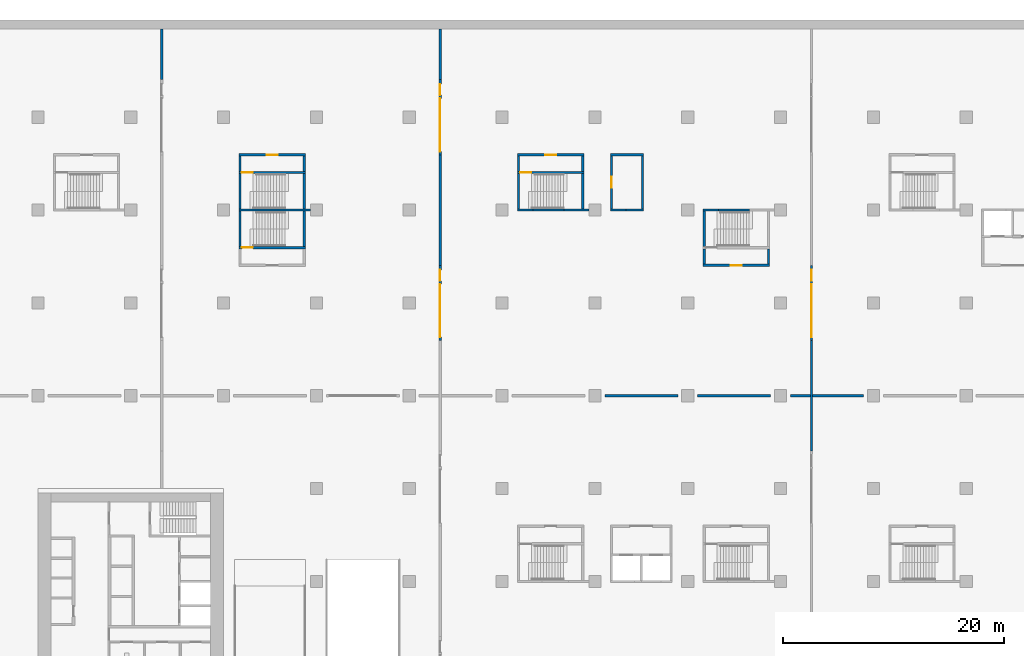
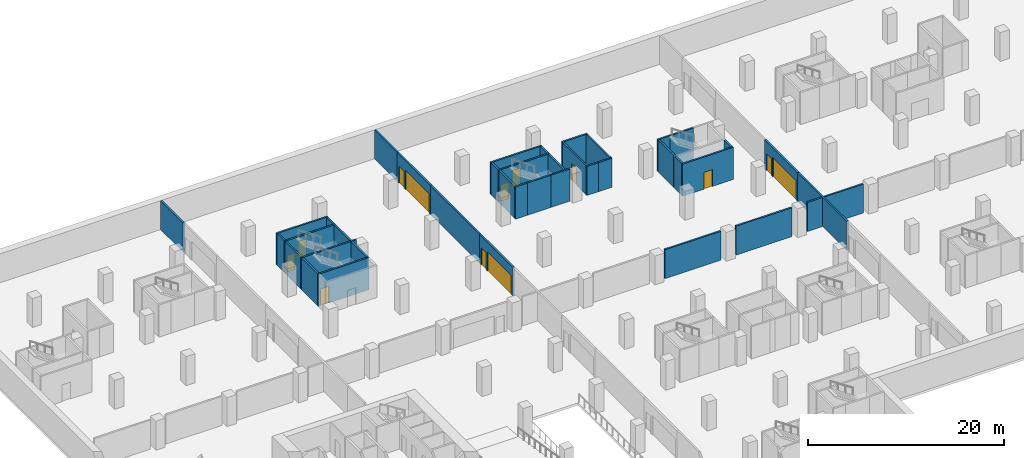
# One storey, part 10 of 18: 41 walls, 13 doors, 13 openings.
"""IFC4 building model written with IfcOpenShell, lengths in metres."""

from ifc_helpers import new_model, si_unit, direction, frame, frame_2d, origin, place, context, subcontext, project, spatial, rectangle, extrude, material, layer, layer_set, type_object, element, fill, save


model = new_model("IFC4")

# Units and contexts
model_context = context("Model", 3, precision=1e-05, world=origin(), true_north=direction((0.0, 1.0)))
body_context = subcontext(model_context, "Body", "Model", "MODEL_VIEW")
ifc_project = project(units=[si_unit("LENGTHUNIT", "METRE"), si_unit("AREAUNIT", "SQUARE_METRE"), si_unit("VOLUMEUNIT", "CUBIC_METRE"), si_unit("PLANEANGLEUNIT", "RADIAN"), si_unit("MASSUNIT", "GRAM", prefix="KILO")], contexts=[model_context])

# Site, building, storey
site_placement = place(None, origin())
site = spatial("IfcSite", under=ifc_project, at=site_placement, CompositionType="ELEMENT")
building_placement = place(site_placement, origin())
building = spatial("IfcBuilding", under=site, at=building_placement, Name="Vermilion Gate Residences", CompositionType="ELEMENT")
storey_placement = place(building_placement, frame((0.0, 0.0, -4.0)))
storey = spatial("IfcBuildingStorey", under=building, at=storey_placement, Name="B1", CompositionType="ELEMENT", Elevation=-4.0)

# Wall, opening, door
ifc_material_1 = material(Name="Concrete blockwork", Category="masonry")
ifc_layer_1 = layer(ifc_material_1, 0.199951171875)
ifc_layer_set_1 = layer_set([ifc_layer_1], Name="FIRE WALL 200 EI 120 (AMENITY)")
wall_type_1 = type_object("IfcWallType", Name="FIRE WALL 200 EI 120 (AMENITY)", PredefinedType="PARTITIONING", material=ifc_layer_set_1)
wall_1_placement = place(storey_placement, frame((60.300048828125, 84.10009765625, 0.0), z_axis=(0.0, 0.0, 1.0), x_axis=(0.0, 1.0, 0.0)))
wall_1 = element("IfcWall", 1, at=wall_1_placement, inside=storey, type_object=wall_type_1, Name="Fire-resisting wall 105", PredefinedType="PARTITIONING", context=body_context, shape_type="SweptSolid", body=[
    extrude(rectangle(XDim=4.7998046875, YDim=0.199951171875, at=frame_2d((2.39990234375, 0.0))), origin(), (0.0, 0.0, 1.0), 3.60009765625),
])
opening_1_placement = place(wall_1_placement, frame((1.89990234375, 0.0, 0.0)))
opening_1 = element("IfcOpeningElement", 2, at=opening_1_placement, cuts=wall_1, Name="Opening DMB1046", PredefinedType="OPENING", context=body_context, shape_type="SweptSolid", body=[
    extrude(rectangle(XDim=1.0, YDim=2.10009765625, at=frame_2d((0.5, 1.050048828125))), frame((0.0, 0.10986328125, 0.0), z_axis=(0.0, -1.0, 0.0), x_axis=(1.0, 0.0, 0.0)), (0.0, 0.0, 1.0), 0.219970703125),
])
ifc_material_2 = material(Name="Steel", Category="steel")
door_type_1 = type_object("IfcDoorType", Name="DOOR 1000 X 2100 FD60 (AMENITY)", OperationType="SINGLE_SWING_LEFT", PredefinedType="DOOR", material=ifc_material_2)
door_1_placement = place(opening_1_placement, origin())
door_1 = element("IfcDoor", 3, at=door_1_placement, inside=storey, type_object=door_type_1, Name="Door B1 46", OperationType="SINGLE_SWING_LEFT", OverallHeight=2.10009765625, OverallWidth=1.0, PredefinedType="DOOR", context=body_context, shape_type="SweptSolid", body=[
    extrude(rectangle(XDim=1.0, YDim=2.10009765625, at=frame_2d((0.5, 1.050048828125))), frame((0.0, 0.02490234375, 0.0), z_axis=(0.0, -1.0, 0.0), x_axis=(1.0, 0.0, 0.0)), (0.0, 0.0, 1.0), 0.050048828125),
])
fill(opening_1, door_1)

# Walls
wall_2_placement = place(storey_placement, frame((60.199951171875, 84.0, 0.0), z_axis=(0.0, 0.0, 1.0), x_axis=(1.0, 0.0, 0.0)))
element("IfcWall", 4, at=wall_2_placement, inside=storey, type_object=wall_type_1, Name="Fire-resisting wall 106", PredefinedType="PARTITIONING", context=body_context, shape_type="SweptSolid", body=[
    extrude(rectangle(XDim=1.400146484375, YDim=0.199951171875, at=frame_2d((0.7001953125, 0.0))), origin(), (0.0, 0.0, 1.0), 3.60009765625),
])
wall_3_placement = place(storey_placement, frame((60.199951171875, 89.0, 0.0), z_axis=(0.0, 0.0, 1.0), x_axis=(1.0, 0.0, 0.0)))
element("IfcWall", 5, at=wall_3_placement, inside=storey, type_object=wall_type_1, Name="Fire-resisting wall 107", PredefinedType="PARTITIONING", context=body_context, shape_type="SweptSolid", body=[
    extrude(rectangle(XDim=3.0, YDim=0.199951171875, at=frame_2d((1.5, 0.0))), origin(), (0.0, 0.0, 1.0), 3.60009765625),
])
wall_4_placement = place(storey_placement, frame((61.60009765625, 84.0, 0.0), z_axis=(0.0, 0.0, 1.0), x_axis=(1.0, 0.0, 0.0)))
element("IfcWall", 6, at=wall_4_placement, inside=storey, type_object=wall_type_1, Name="Fire-resisting wall 109", PredefinedType="PARTITIONING", context=body_context, shape_type="SweptSolid", body=[
    extrude(rectangle(XDim=1.599853515625, YDim=0.199951171875, at=frame_2d((0.7998046875, 0.0))), origin(), (0.0, 0.0, 1.0), 3.60009765625),
])
wall_5_placement = place(storey_placement, frame((63.10009765625, 84.10009765625, 0.0), z_axis=(0.0, 0.0, 1.0), x_axis=(0.0, 1.0, 0.0)))
element("IfcWall", 7, at=wall_5_placement, inside=storey, type_object=wall_type_1, Name="Fire-resisting wall 114", PredefinedType="PARTITIONING", context=body_context, shape_type="SweptSolid", body=[
    extrude(rectangle(XDim=4.7998046875, YDim=0.199951171875, at=frame_2d((2.39990234375, 0.0))), origin(), (0.0, 0.0, 1.0), 3.60009765625),
])
ifc_material_3 = material(Name="Concrete blockwork", Category="masonry")
ifc_layer_2 = layer(ifc_material_3, 0.199951171875)
ifc_layer_set_2 = layer_set([ifc_layer_2], Name="GARAGE FIRE WALL 200 EI 120 (AMENITY)")
wall_type_2 = type_object("IfcWallType", Name="GARAGE FIRE WALL 200 EI 120 (AMENITY)", PredefinedType="PARTITIONING", material=ifc_layer_set_2)
wall_6_placement = place(storey_placement, frame((19.60009765625, 95.800048828125, 0.0), z_axis=(0.0, 0.0, 1.0), x_axis=(0.0, 1.0, 0.0)))
element("IfcWall", 8, at=wall_6_placement, inside=storey, type_object=wall_type_2, Name="Fire compartment wall", PredefinedType="PARTITIONING", context=body_context, shape_type="SweptSolid", body=[
    extrude(rectangle(XDim=4.599853515625, YDim=0.199951171875, at=frame_2d((2.2998046875, 0.0))), origin(), (0.0, 0.0, 1.0), 3.60009765625),
])

# Wall, openings, doors
wall_7_placement = place(storey_placement, frame((44.800048828125, 72.199951171875, 0.0), z_axis=(0.0, 0.0, 1.0), x_axis=(0.0, 1.0, 0.0)))
wall_7 = element("IfcWall", 9, at=wall_7_placement, inside=storey, type_object=wall_type_2, Name="Fire compartment wall", PredefinedType="PARTITIONING", context=body_context, shape_type="SweptSolid", body=[
    extrude(rectangle(XDim=6.800048828125, YDim=0.199951171875, at=frame_2d((3.39990234375, 0.0))), origin(), (0.0, 0.0, 1.0), 3.60009765625),
])
opening_2_placement = place(wall_7_placement, frame((0.300048828125, 0.0, 0.0)))
opening_2 = element("IfcOpeningElement", 10, at=opening_2_placement, cuts=wall_7, Name="Opening DGB1013", PredefinedType="OPENING", context=body_context, shape_type="SweptSolid", body=[
    extrude(rectangle(XDim=4.800048828125, YDim=2.39990234375, at=frame_2d((2.39990234375, 1.199951171875))), frame((0.0, 0.10986328125, 0.0), z_axis=(0.0, -1.0, 0.0), x_axis=(1.0, 0.0, 0.0)), (0.0, 0.0, 1.0), 0.219970703125),
])
opening_3_placement = place(wall_7_placement, frame((5.39990234375, 0.0, 0.0)))
opening_3 = element("IfcOpeningElement", 11, at=opening_3_placement, cuts=wall_7, Name="Opening DGB1014", PredefinedType="OPENING", context=body_context, shape_type="SweptSolid", body=[
    extrude(rectangle(XDim=1.0, YDim=2.10009765625, at=frame_2d((0.5, 1.050048828125))), frame((0.0, 0.10986328125, 0.0), z_axis=(0.0, -1.0, 0.0), x_axis=(1.0, 0.0, 0.0)), (0.0, 0.0, 1.0), 0.219970703125),
])
ifc_material_4 = material(Name="Steel", Category="steel")
door_type_2 = type_object("IfcDoorType", Name="DOOR 1000 X 2100 FD120 (AMENITY)", OperationType="SINGLE_SWING_LEFT", PredefinedType="DOOR", material=ifc_material_4)
door_2_placement = place(opening_3_placement, frame((1.0, 0.0, 0.0), z_axis=(0.0, 0.0, 1.0), x_axis=(-1.0, 0.0, 0.0)))
door_2 = element("IfcDoor", 12, at=door_2_placement, inside=storey, type_object=door_type_2, Name="Fire door", OperationType="SINGLE_SWING_RIGHT", OverallHeight=2.10009765625, OverallWidth=1.0, PredefinedType="DOOR", context=body_context, shape_type="SweptSolid", body=[
    extrude(rectangle(XDim=1.0, YDim=2.10009765625, at=frame_2d((0.5, 1.050048828125))), frame((0.0, 0.02490234375, 0.0), z_axis=(0.0, -1.0, 0.0), x_axis=(1.0, 0.0, 0.0)), (0.0, 0.0, 1.0), 0.050048828125),
])
fill(opening_3, door_2)
ifc_material_5 = material(Name="Steel", Category="steel")
door_type_3 = type_object("IfcDoorType", Name="FIRE SHUTTER 4800 X 2400 (AMENITY)", OperationType="ROLLINGUP", PredefinedType="GATE", material=ifc_material_5)
door_3_placement = place(opening_2_placement, origin())
door_3 = element("IfcDoor", 13, at=door_3_placement, inside=storey, type_object=door_type_3, Name="Fire shutter", OperationType="ROLLINGUP", OverallHeight=2.39990234375, OverallWidth=4.800048828125, PredefinedType="GATE", context=body_context, shape_type="SweptSolid", body=[
    extrude(rectangle(XDim=4.800048828125, YDim=2.39990234375, at=frame_2d((2.39990234375, 1.199951171875))), frame((0.0, 0.02490234375, 0.0), z_axis=(0.0, -1.0, 0.0), x_axis=(1.0, 0.0, 0.0)), (0.0, 0.0, 1.0), 0.050048828125),
])
fill(opening_2, door_3)

# Wall
wall_8_placement = place(storey_placement, frame((44.800048828125, 79.0, 0.0), z_axis=(0.0, 0.0, 1.0), x_axis=(0.0, 1.0, 0.0)))
element("IfcWall", 14, at=wall_8_placement, inside=storey, type_object=wall_type_2, Name="Fire compartment wall", PredefinedType="PARTITIONING", context=body_context, shape_type="SweptSolid", body=[
    extrude(rectangle(XDim=10.0, YDim=0.199951171875, at=frame_2d((5.0, 0.0))), origin(), (0.0, 0.0, 1.0), 3.60009765625),
])

# Wall, openings, doors
wall_9_placement = place(storey_placement, frame((44.800048828125, 89.0, 0.0), z_axis=(0.0, 0.0, 1.0), x_axis=(0.0, 1.0, 0.0)))
wall_9 = element("IfcWall", 15, at=wall_9_placement, inside=storey, type_object=wall_type_2, Name="Fire compartment wall", PredefinedType="PARTITIONING", context=body_context, shape_type="SweptSolid", body=[
    extrude(rectangle(XDim=6.800048828125, YDim=0.199951171875, at=frame_2d((3.39990234375, 0.0))), origin(), (0.0, 0.0, 1.0), 3.60009765625),
])
opening_4_placement = place(wall_9_placement, frame((0.300048828125, 0.0, 0.0)))
opening_4 = element("IfcOpeningElement", 16, at=opening_4_placement, cuts=wall_9, Name="Opening DGB1015", PredefinedType="OPENING", context=body_context, shape_type="SweptSolid", body=[
    extrude(rectangle(XDim=4.800048828125, YDim=2.39990234375, at=frame_2d((2.39990234375, 1.199951171875))), frame((0.0, 0.10986328125, 0.0), z_axis=(0.0, -1.0, 0.0), x_axis=(1.0, 0.0, 0.0)), (0.0, 0.0, 1.0), 0.219970703125),
])
opening_5_placement = place(wall_9_placement, frame((5.39990234375, 0.0, 0.0)))
opening_5 = element("IfcOpeningElement", 17, at=opening_5_placement, cuts=wall_9, Name="Opening DGB1016", PredefinedType="OPENING", context=body_context, shape_type="SweptSolid", body=[
    extrude(rectangle(XDim=1.0, YDim=2.10009765625, at=frame_2d((0.5, 1.050048828125))), frame((0.0, 0.10986328125, 0.0), z_axis=(0.0, -1.0, 0.0), x_axis=(1.0, 0.0, 0.0)), (0.0, 0.0, 1.0), 0.219970703125),
])
door_4_placement = place(opening_5_placement, origin())
door_4 = element("IfcDoor", 18, at=door_4_placement, inside=storey, type_object=door_type_2, Name="Fire door", OperationType="SINGLE_SWING_LEFT", OverallHeight=2.10009765625, OverallWidth=1.0, PredefinedType="DOOR", context=body_context, shape_type="SweptSolid", body=[
    extrude(rectangle(XDim=1.0, YDim=2.10009765625, at=frame_2d((0.5, 1.050048828125))), frame((0.0, 0.02490234375, 0.0), z_axis=(0.0, -1.0, 0.0), x_axis=(1.0, 0.0, 0.0)), (0.0, 0.0, 1.0), 0.050048828125),
])
fill(opening_5, door_4)
door_5_placement = place(opening_4_placement, origin())
door_5 = element("IfcDoor", 19, at=door_5_placement, inside=storey, type_object=door_type_3, Name="Fire shutter", OperationType="ROLLINGUP", OverallHeight=2.39990234375, OverallWidth=4.800048828125, PredefinedType="GATE", context=body_context, shape_type="SweptSolid", body=[
    extrude(rectangle(XDim=4.800048828125, YDim=2.39990234375, at=frame_2d((2.39990234375, 1.199951171875))), frame((0.0, 0.02490234375, 0.0), z_axis=(0.0, -1.0, 0.0), x_axis=(1.0, 0.0, 0.0)), (0.0, 0.0, 1.0), 0.050048828125),
])
fill(opening_4, door_5)

# Walls
wall_10_placement = place(storey_placement, frame((44.800048828125, 95.800048828125, 0.0), z_axis=(0.0, 0.0, 1.0), x_axis=(0.0, 1.0, 0.0)))
element("IfcWall", 20, at=wall_10_placement, inside=storey, type_object=wall_type_2, Name="Fire compartment wall", PredefinedType="PARTITIONING", context=body_context, shape_type="SweptSolid", body=[
    extrude(rectangle(XDim=4.599853515625, YDim=0.199951171875, at=frame_2d((2.2998046875, 0.0))), origin(), (0.0, 0.0, 1.0), 3.60009765625),
])
wall_11_placement = place(storey_placement, frame((78.39990234375, 62.199951171875, 0.0), z_axis=(0.0, 0.0, 1.0), x_axis=(0.0, 1.0, 0.0)))
element("IfcWall", 21, at=wall_11_placement, inside=storey, type_object=wall_type_2, Name="Fire compartment wall", PredefinedType="PARTITIONING", context=body_context, shape_type="SweptSolid", body=[
    extrude(rectangle(XDim=10.0, YDim=0.199951171875, at=frame_2d((5.0, 0.0))), origin(), (0.0, 0.0, 1.0), 3.60009765625),
])

# Wall, openings, doors
wall_12_placement = place(storey_placement, frame((78.39990234375, 72.199951171875, 0.0), z_axis=(0.0, 0.0, 1.0), x_axis=(0.0, 1.0, 0.0)))
wall_12 = element("IfcWall", 22, at=wall_12_placement, inside=storey, type_object=wall_type_2, Name="Fire compartment wall", PredefinedType="PARTITIONING", context=body_context, shape_type="SweptSolid", body=[
    extrude(rectangle(XDim=6.800048828125, YDim=0.199951171875, at=frame_2d((3.39990234375, 0.0))), origin(), (0.0, 0.0, 1.0), 3.60009765625),
])
opening_6_placement = place(wall_12_placement, frame((0.300048828125, 0.0, 0.0)))
opening_6 = element("IfcOpeningElement", 23, at=opening_6_placement, cuts=wall_12, Name="Opening DGB1021", PredefinedType="OPENING", context=body_context, shape_type="SweptSolid", body=[
    extrude(rectangle(XDim=4.800048828125, YDim=2.39990234375, at=frame_2d((2.39990234375, 1.199951171875))), frame((0.0, 0.10986328125, 0.0), z_axis=(0.0, -1.0, 0.0), x_axis=(1.0, 0.0, 0.0)), (0.0, 0.0, 1.0), 0.219970703125),
])
opening_7_placement = place(wall_12_placement, frame((5.39990234375, 0.0, 0.0)))
opening_7 = element("IfcOpeningElement", 24, at=opening_7_placement, cuts=wall_12, Name="Opening DGB1022", PredefinedType="OPENING", context=body_context, shape_type="SweptSolid", body=[
    extrude(rectangle(XDim=1.0, YDim=2.10009765625, at=frame_2d((0.5, 1.050048828125))), frame((0.0, 0.10986328125, 0.0), z_axis=(0.0, -1.0, 0.0), x_axis=(1.0, 0.0, 0.0)), (0.0, 0.0, 1.0), 0.219970703125),
])
door_6_placement = place(opening_7_placement, frame((1.0, 0.0, 0.0), z_axis=(0.0, 0.0, 1.0), x_axis=(-1.0, 0.0, 0.0)))
door_6 = element("IfcDoor", 25, at=door_6_placement, inside=storey, type_object=door_type_2, Name="Fire door", OperationType="SINGLE_SWING_RIGHT", OverallHeight=2.10009765625, OverallWidth=1.0, PredefinedType="DOOR", context=body_context, shape_type="SweptSolid", body=[
    extrude(rectangle(XDim=1.0, YDim=2.10009765625, at=frame_2d((0.5, 1.050048828125))), frame((0.0, 0.02490234375, 0.0), z_axis=(0.0, -1.0, 0.0), x_axis=(1.0, 0.0, 0.0)), (0.0, 0.0, 1.0), 0.050048828125),
])
fill(opening_7, door_6)
door_7_placement = place(opening_6_placement, origin())
door_7 = element("IfcDoor", 26, at=door_7_placement, inside=storey, type_object=door_type_3, Name="Fire shutter", OperationType="ROLLINGUP", OverallHeight=2.39990234375, OverallWidth=4.800048828125, PredefinedType="GATE", context=body_context, shape_type="SweptSolid", body=[
    extrude(rectangle(XDim=4.800048828125, YDim=2.39990234375, at=frame_2d((2.39990234375, 1.199951171875))), frame((0.0, 0.02490234375, 0.0), z_axis=(0.0, -1.0, 0.0), x_axis=(1.0, 0.0, 0.0)), (0.0, 0.0, 1.0), 0.050048828125),
])
fill(opening_6, door_7)

# Walls
wall_13_placement = place(storey_placement, frame((59.699951171875, 67.199951171875, 0.0), z_axis=(0.0, 0.0, 1.0), x_axis=(1.0, 0.0, 0.0)))
element("IfcWall", 27, at=wall_13_placement, inside=storey, type_object=wall_type_2, Name="Fire compartment wall", PredefinedType="PARTITIONING", context=body_context, shape_type="SweptSolid", body=[
    extrude(rectangle(XDim=6.60009765625, YDim=0.199951171875, at=frame_2d((3.300048828125, 0.0))), origin(), (0.0, 0.0, 1.0), 3.60009765625),
])
wall_14_placement = place(storey_placement, frame((68.10009765625, 67.199951171875, 0.0), z_axis=(0.0, 0.0, 1.0), x_axis=(1.0, 0.0, 0.0)))
element("IfcWall", 28, at=wall_14_placement, inside=storey, type_object=wall_type_2, Name="Fire compartment wall", PredefinedType="PARTITIONING", context=body_context, shape_type="SweptSolid", body=[
    extrude(rectangle(XDim=6.599853515625, YDim=0.199951171875, at=frame_2d((3.2998046875, 0.0))), origin(), (0.0, 0.0, 1.0), 3.60009765625),
])
wall_15_placement = place(storey_placement, frame((76.5, 67.199951171875, 0.0), z_axis=(0.0, 0.0, 1.0), x_axis=(1.0, 0.0, 0.0)))
element("IfcWall", 29, at=wall_15_placement, inside=storey, type_object=wall_type_2, Name="Fire compartment wall", PredefinedType="PARTITIONING", context=body_context, shape_type="SweptSolid", body=[
    extrude(rectangle(XDim=1.800048828125, YDim=0.199951171875, at=frame_2d((0.89990234375, 0.0))), origin(), (0.0, 0.0, 1.0), 3.60009765625),
])
wall_16_placement = place(storey_placement, frame((78.5, 67.199951171875, 0.0), z_axis=(0.0, 0.0, 1.0), x_axis=(1.0, 0.0, 0.0)))
element("IfcWall", 30, at=wall_16_placement, inside=storey, type_object=wall_type_2, Name="Fire compartment wall", PredefinedType="PARTITIONING", context=body_context, shape_type="SweptSolid", body=[
    extrude(rectangle(XDim=4.60009765625, YDim=0.199951171875, at=frame_2d((2.300048828125, 0.0))), origin(), (0.0, 0.0, 1.0), 3.60009765625),
])
ifc_material_6 = material(Name="Concrete C40", Category="concrete")
ifc_layer_3 = layer(ifc_material_6, 0.199951171875)
ifc_layer_set_3 = layer_set([ifc_layer_3], Name="RC STAIR AND SHAFT WALL 200 EI 180 C40 (AMENITY)")
wall_type_3 = type_object("IfcWallType", Name="RC STAIR AND SHAFT WALL 200 EI 180 C40 (AMENITY)", PredefinedType="SOLIDWALL", material=ifc_layer_set_3)
wall_17_placement = place(storey_placement, frame((26.699951171875, 80.699951171875, 0.0), z_axis=(0.0, 0.0, 1.0), x_axis=(0.0, 1.0, 0.0)))
element("IfcWall", 31, at=wall_17_placement, inside=storey, type_object=wall_type_3, Name="Stair and shaft wall 54", PredefinedType="SOLIDWALL", context=body_context, shape_type="SweptSolid", body=[
    extrude(rectangle(XDim=3.199951171875, YDim=0.199951171875, at=frame_2d((1.60009765625, 0.0))), origin(), (0.0, 0.0, 1.0), 4.0),
])

# Wall, opening, door
wall_18_placement = place(storey_placement, frame((26.60009765625, 80.60009765625, 0.0), z_axis=(0.0, 0.0, 1.0), x_axis=(1.0, 0.0, 0.0)))
wall_18 = element("IfcWall", 32, at=wall_18_placement, inside=storey, type_object=wall_type_3, Name="Stair and shaft wall 55", PredefinedType="SOLIDWALL", context=body_context, shape_type="SweptSolid", body=[
    extrude(rectangle(XDim=6.0, YDim=0.199951171875, at=frame_2d((3.0, 0.0))), origin(), (0.0, 0.0, 1.0), 4.0),
])
opening_8_placement = place(wall_18_placement, frame((0.25, 0.0, 0.0)))
opening_8 = element("IfcOpeningElement", 33, at=opening_8_placement, cuts=wall_18, Name="Opening DMB1024", PredefinedType="OPENING", context=body_context, shape_type="SweptSolid", body=[
    extrude(rectangle(XDim=1.0, YDim=2.10009765625, at=frame_2d((0.5, 1.050048828125))), frame((0.0, 0.10986328125, 0.0), z_axis=(0.0, -1.0, 0.0), x_axis=(1.0, 0.0, 0.0)), (0.0, 0.0, 1.0), 0.219970703125),
])
door_8_placement = place(opening_8_placement, origin())
door_8 = element("IfcDoor", 34, at=door_8_placement, inside=storey, type_object=door_type_1, Name="Door B1 24", OperationType="SINGLE_SWING_RIGHT", OverallHeight=2.10009765625, OverallWidth=1.0, PredefinedType="DOOR", context=body_context, shape_type="SweptSolid", body=[
    extrude(rectangle(XDim=1.0, YDim=2.10009765625, at=frame_2d((0.5, 1.050048828125))), frame((0.0, 0.02490234375, 0.0), z_axis=(0.0, -1.0, 0.0), x_axis=(1.0, 0.0, 0.0)), (0.0, 0.0, 1.0), 0.050048828125),
])
fill(opening_8, door_8)

# Walls
wall_19_placement = place(storey_placement, frame((26.699951171875, 84.10009765625, 0.0), z_axis=(0.0, 0.0, 1.0), x_axis=(0.0, 1.0, 0.0)))
element("IfcWall", 35, at=wall_19_placement, inside=storey, type_object=wall_type_3, Name="Stair and shaft wall 56", PredefinedType="SOLIDWALL", context=body_context, shape_type="SweptSolid", body=[
    extrude(rectangle(XDim=3.199951171875, YDim=0.199951171875, at=frame_2d((1.60009765625, 0.0))), origin(), (0.0, 0.0, 1.0), 4.0),
])
wall_20_placement = place(storey_placement, frame((26.60009765625, 84.0, 0.0), z_axis=(0.0, 0.0, 1.0), x_axis=(1.0, 0.0, 0.0)))
element("IfcWall", 36, at=wall_20_placement, inside=storey, type_object=wall_type_3, Name="Stair and shaft wall 57", PredefinedType="SOLIDWALL", context=body_context, shape_type="SweptSolid", body=[
    extrude(rectangle(XDim=6.449951171875, YDim=0.199951171875, at=frame_2d((3.22509765625, 0.0))), origin(), (0.0, 0.0, 1.0), 4.0),
])
wall_21_placement = place(storey_placement, frame((26.699951171875, 87.5, 0.0), z_axis=(0.0, 0.0, 1.0), x_axis=(0.0, 1.0, 0.0)))
element("IfcWall", 37, at=wall_21_placement, inside=storey, type_object=wall_type_3, Name="Stair and shaft wall 58", PredefinedType="SOLIDWALL", context=body_context, shape_type="SweptSolid", body=[
    extrude(rectangle(XDim=1.39990234375, YDim=0.199951171875, at=frame_2d((0.699951171875, 0.0))), origin(), (0.0, 0.0, 1.0), 4.0),
])

# Wall, opening, door
wall_22_placement = place(storey_placement, frame((26.60009765625, 87.39990234375, 0.0), z_axis=(0.0, 0.0, 1.0), x_axis=(1.0, 0.0, 0.0)))
wall_22 = element("IfcWall", 38, at=wall_22_placement, inside=storey, type_object=wall_type_3, Name="Stair and shaft wall 59", PredefinedType="SOLIDWALL", context=body_context, shape_type="SweptSolid", body=[
    extrude(rectangle(XDim=6.0, YDim=0.199951171875, at=frame_2d((3.0, 0.0))), origin(), (0.0, 0.0, 1.0), 4.0),
])
opening_9_placement = place(wall_22_placement, frame((0.25, 0.0, 0.0)))
opening_9 = element("IfcOpeningElement", 39, at=opening_9_placement, cuts=wall_22, Name="Opening DMB1022", PredefinedType="OPENING", context=body_context, shape_type="SweptSolid", body=[
    extrude(rectangle(XDim=1.0, YDim=2.10009765625, at=frame_2d((0.5, 1.050048828125))), frame((0.0, 0.10986328125, 0.0), z_axis=(0.0, -1.0, 0.0), x_axis=(1.0, 0.0, 0.0)), (0.0, 0.0, 1.0), 0.219970703125),
])
door_9_placement = place(opening_9_placement, frame((1.0, 0.0, 0.0), z_axis=(0.0, 0.0, 1.0), x_axis=(-1.0, 0.0, 0.0)))
door_9 = element("IfcDoor", 40, at=door_9_placement, inside=storey, type_object=door_type_1, Name="Door B1 22", OperationType="SINGLE_SWING_RIGHT", OverallHeight=2.10009765625, OverallWidth=1.0, PredefinedType="DOOR", context=body_context, shape_type="SweptSolid", body=[
    extrude(rectangle(XDim=1.0, YDim=2.10009765625, at=frame_2d((0.5, 1.050048828125))), frame((0.0, 0.02490234375, 0.0), z_axis=(0.0, -1.0, 0.0), x_axis=(1.0, 0.0, 0.0)), (0.0, 0.0, 1.0), 0.050048828125),
])
fill(opening_9, door_9)

wall_23_placement = place(storey_placement, frame((26.60009765625, 89.0, 0.0), z_axis=(0.0, 0.0, 1.0), x_axis=(1.0, 0.0, 0.0)))
wall_23 = element("IfcWall", 41, at=wall_23_placement, inside=storey, type_object=wall_type_3, Name="Stair and shaft wall 60", PredefinedType="SOLIDWALL", context=body_context, shape_type="SweptSolid", body=[
    extrude(rectangle(XDim=6.0, YDim=0.199951171875, at=frame_2d((3.0, 0.0))), origin(), (0.0, 0.0, 1.0), 4.0),
])
opening_10_placement = place(wall_23_placement, frame((2.5, 0.0, 0.0)))
opening_10 = element("IfcOpeningElement", 42, at=opening_10_placement, cuts=wall_23, Name="Opening DMB1021", PredefinedType="OPENING", context=body_context, shape_type="SweptSolid", body=[
    extrude(rectangle(XDim=1.0, YDim=2.10009765625, at=frame_2d((0.5, 1.050048828125))), frame((0.0, 0.10986328125, 0.0), z_axis=(0.0, -1.0, 0.0), x_axis=(1.0, 0.0, 0.0)), (0.0, 0.0, 1.0), 0.219970703125),
])
door_10_placement = place(opening_10_placement, origin())
door_10 = element("IfcDoor", 43, at=door_10_placement, inside=storey, type_object=door_type_1, Name="Door B1 21", OperationType="SINGLE_SWING_LEFT", OverallHeight=2.10009765625, OverallWidth=1.0, PredefinedType="DOOR", context=body_context, shape_type="SweptSolid", body=[
    extrude(rectangle(XDim=1.0, YDim=2.10009765625, at=frame_2d((0.5, 1.050048828125))), frame((0.0, 0.02490234375, 0.0), z_axis=(0.0, -1.0, 0.0), x_axis=(1.0, 0.0, 0.0)), (0.0, 0.0, 1.0), 0.050048828125),
])
fill(opening_10, door_10)

# Walls
for number, where, z_axis, x_axis, name in (
    (44, (32.5, 80.699951171875, 0.0), (0.0, 0.0, 1.0), (0.0, 1.0, 0.0), "Stair and shaft wall 62"),
    (45, (32.5, 84.10009765625, 0.0), (0.0, 0.0, 1.0), (0.0, 1.0, 0.0), "Stair and shaft wall 63"),
):
    element("IfcWall", number, at=place(storey_placement, frame(where, z_axis=z_axis, x_axis=x_axis)), inside=storey, type_object=wall_type_3, Name=name, PredefinedType="SOLIDWALL", context=body_context, shape_type="SweptSolid", body=[
        extrude(rectangle(XDim=3.199951171875, YDim=0.199951171875, at=frame_2d((1.60009765625, 0.0))), origin(), (0.0, 0.0, 1.0), 4.0),
    ])
wall_24_placement = place(storey_placement, frame((32.5, 87.5, 0.0), z_axis=(0.0, 0.0, 1.0), x_axis=(0.0, 1.0, 0.0)))
element("IfcWall", 46, at=wall_24_placement, inside=storey, type_object=wall_type_3, Name="Stair and shaft wall 64", PredefinedType="SOLIDWALL", context=body_context, shape_type="SweptSolid", body=[
    extrude(rectangle(XDim=1.39990234375, YDim=0.199951171875, at=frame_2d((0.699951171875, 0.0))), origin(), (0.0, 0.0, 1.0), 4.0),
])
wall_25_placement = place(storey_placement, frame((51.89990234375, 84.10009765625, 0.0), z_axis=(0.0, 0.0, 1.0), x_axis=(0.0, 1.0, 0.0)))
element("IfcWall", 47, at=wall_25_placement, inside=storey, type_object=wall_type_3, Name="Stair and shaft wall 76", PredefinedType="SOLIDWALL", context=body_context, shape_type="SweptSolid", body=[
    extrude(rectangle(XDim=3.199951171875, YDim=0.199951171875, at=frame_2d((1.60009765625, 0.0))), origin(), (0.0, 0.0, 1.0), 4.0),
])
for number, where, z_axis, x_axis, name in (
    (48, (51.800048828125, 84.0, 0.0), (0.0, 0.0, 1.0), (1.0, 0.0, 0.0), "Stair and shaft wall 77"),
    (49, (51.89990234375, 87.5, 0.0), (0.0, 0.0, 1.0), (0.0, 1.0, 0.0), "Stair and shaft wall 78"),
):
    element("IfcWall", number, at=place(storey_placement, frame(where, z_axis=z_axis, x_axis=x_axis)), inside=storey, type_object=wall_type_3, Name=name, PredefinedType="SOLIDWALL", context=body_context, shape_type="SweptSolid", body=[
        extrude(rectangle(XDim=1.39990234375, YDim=0.199951171875, at=frame_2d((0.699951171875, 0.0))), origin(), (0.0, 0.0, 1.0), 4.0),
    ])

# Wall, opening, door
wall_26_placement = place(storey_placement, frame((51.800048828125, 87.39990234375, 0.0), z_axis=(0.0, 0.0, 1.0), x_axis=(1.0, 0.0, 0.0)))
wall_26 = element("IfcWall", 50, at=wall_26_placement, inside=storey, type_object=wall_type_3, Name="Stair and shaft wall 79", PredefinedType="SOLIDWALL", context=body_context, shape_type="SweptSolid", body=[
    extrude(rectangle(XDim=6.0, YDim=0.199951171875, at=frame_2d((3.0, 0.0))), origin(), (0.0, 0.0, 1.0), 4.0),
])
opening_11_placement = place(wall_26_placement, frame((0.25, 0.0, 0.0)))
opening_11 = element("IfcOpeningElement", 51, at=opening_11_placement, cuts=wall_26, Name="Opening DMB1028", PredefinedType="OPENING", context=body_context, shape_type="SweptSolid", body=[
    extrude(rectangle(XDim=1.0, YDim=2.10009765625, at=frame_2d((0.5, 1.050048828125))), frame((0.0, 0.10986328125, 0.0), z_axis=(0.0, -1.0, 0.0), x_axis=(1.0, 0.0, 0.0)), (0.0, 0.0, 1.0), 0.219970703125),
])
door_11_placement = place(opening_11_placement, frame((1.0, 0.0, 0.0), z_axis=(0.0, 0.0, 1.0), x_axis=(-1.0, 0.0, 0.0)))
door_11 = element("IfcDoor", 52, at=door_11_placement, inside=storey, type_object=door_type_1, Name="Door B1 28", OperationType="SINGLE_SWING_RIGHT", OverallHeight=2.10009765625, OverallWidth=1.0, PredefinedType="DOOR", context=body_context, shape_type="SweptSolid", body=[
    extrude(rectangle(XDim=1.0, YDim=2.10009765625, at=frame_2d((0.5, 1.050048828125))), frame((0.0, 0.02490234375, 0.0), z_axis=(0.0, -1.0, 0.0), x_axis=(1.0, 0.0, 0.0)), (0.0, 0.0, 1.0), 0.050048828125),
])
fill(opening_11, door_11)

wall_27_placement = place(storey_placement, frame((51.800048828125, 89.0, 0.0), z_axis=(0.0, 0.0, 1.0), x_axis=(1.0, 0.0, 0.0)))
wall_27 = element("IfcWall", 53, at=wall_27_placement, inside=storey, type_object=wall_type_3, Name="Stair and shaft wall 80", PredefinedType="SOLIDWALL", context=body_context, shape_type="SweptSolid", body=[
    extrude(rectangle(XDim=6.0, YDim=0.199951171875, at=frame_2d((3.0, 0.0))), origin(), (0.0, 0.0, 1.0), 4.0),
])
opening_12_placement = place(wall_27_placement, frame((2.5, 0.0, 0.0)))
opening_12 = element("IfcOpeningElement", 54, at=opening_12_placement, cuts=wall_27, Name="Opening DMB1027", PredefinedType="OPENING", context=body_context, shape_type="SweptSolid", body=[
    extrude(rectangle(XDim=1.0, YDim=2.10009765625, at=frame_2d((0.5, 1.050048828125))), frame((0.0, 0.10986328125, 0.0), z_axis=(0.0, -1.0, 0.0), x_axis=(1.0, 0.0, 0.0)), (0.0, 0.0, 1.0), 0.219970703125),
])
door_12_placement = place(opening_12_placement, origin())
door_12 = element("IfcDoor", 55, at=door_12_placement, inside=storey, type_object=door_type_1, Name="Door B1 27", OperationType="SINGLE_SWING_LEFT", OverallHeight=2.10009765625, OverallWidth=1.0, PredefinedType="DOOR", context=body_context, shape_type="SweptSolid", body=[
    extrude(rectangle(XDim=1.0, YDim=2.10009765625, at=frame_2d((0.5, 1.050048828125))), frame((0.0, 0.02490234375, 0.0), z_axis=(0.0, -1.0, 0.0), x_axis=(1.0, 0.0, 0.0)), (0.0, 0.0, 1.0), 0.050048828125),
])
fill(opening_12, door_12)

# Walls
wall_28_placement = place(storey_placement, frame((53.199951171875, 84.0, 0.0), z_axis=(0.0, 0.0, 1.0), x_axis=(1.0, 0.0, 0.0)))
element("IfcWall", 56, at=wall_28_placement, inside=storey, type_object=wall_type_3, Name="Stair and shaft wall 82", PredefinedType="SOLIDWALL", context=body_context, shape_type="SweptSolid", body=[
    extrude(rectangle(XDim=2.800048828125, YDim=0.199951171875, at=frame_2d((1.39990234375, 0.0))), origin(), (0.0, 0.0, 1.0), 4.0),
])
wall_29_placement = place(storey_placement, frame((56.0, 84.0, 0.0), z_axis=(0.0, 0.0, 1.0), x_axis=(1.0, 0.0, 0.0)))
element("IfcWall", 57, at=wall_29_placement, inside=storey, type_object=wall_type_3, Name="Stair and shaft wall 85", PredefinedType="SOLIDWALL", context=body_context, shape_type="SweptSolid", body=[
    extrude(rectangle(XDim=2.25, YDim=0.199951171875, at=frame_2d((1.125, 0.0))), origin(), (0.0, 0.0, 1.0), 4.0),
])
wall_30_placement = place(storey_placement, frame((57.699951171875, 84.10009765625, 0.0), z_axis=(0.0, 0.0, 1.0), x_axis=(0.0, 1.0, 0.0)))
element("IfcWall", 58, at=wall_30_placement, inside=storey, type_object=wall_type_3, Name="Stair and shaft wall 91", PredefinedType="SOLIDWALL", context=body_context, shape_type="SweptSolid", body=[
    extrude(rectangle(XDim=3.199951171875, YDim=0.199951171875, at=frame_2d((1.60009765625, 0.0))), origin(), (0.0, 0.0, 1.0), 4.0),
])
for number, where, z_axis, x_axis, name in (
    (59, (57.699951171875, 87.5, 0.0), (0.0, 0.0, 1.0), (0.0, 1.0, 0.0), "Stair and shaft wall 92"),
    (60, (68.699951171875, 79.10009765625, 0.0), (0.0, 0.0, 1.0), (0.0, 1.0, 0.0), "Stair and shaft wall 126"),
):
    element("IfcWall", number, at=place(storey_placement, frame(where, z_axis=z_axis, x_axis=x_axis)), inside=storey, type_object=wall_type_3, Name=name, PredefinedType="SOLIDWALL", context=body_context, shape_type="SweptSolid", body=[
        extrude(rectangle(XDim=1.39990234375, YDim=0.199951171875, at=frame_2d((0.699951171875, 0.0))), origin(), (0.0, 0.0, 1.0), 4.0),
    ])

# Wall, opening, door
wall_31_placement = place(storey_placement, frame((68.60009765625, 79.0, 0.0), z_axis=(0.0, 0.0, 1.0), x_axis=(1.0, 0.0, 0.0)))
wall_31 = element("IfcWall", 61, at=wall_31_placement, inside=storey, type_object=wall_type_3, Name="Stair and shaft wall 127", PredefinedType="SOLIDWALL", context=body_context, shape_type="SweptSolid", body=[
    extrude(rectangle(XDim=6.0, YDim=0.199951171875, at=frame_2d((3.0, 0.0))), origin(), (0.0, 0.0, 1.0), 4.0),
])
opening_13_placement = place(wall_31_placement, frame((2.5, 0.0, 0.0)))
opening_13 = element("IfcOpeningElement", 62, at=opening_13_placement, cuts=wall_31, Name="Opening DMB1025", PredefinedType="OPENING", context=body_context, shape_type="SweptSolid", body=[
    extrude(rectangle(XDim=1.0, YDim=2.10009765625, at=frame_2d((0.5, 1.050048828125))), frame((0.0, 0.10986328125, 0.0), z_axis=(0.0, -1.0, 0.0), x_axis=(1.0, 0.0, 0.0)), (0.0, 0.0, 1.0), 0.219970703125),
])
door_13_placement = place(opening_13_placement, frame((1.0, 0.0, 0.0), z_axis=(0.0, 0.0, 1.0), x_axis=(-1.0, 0.0, 0.0)))
door_13 = element("IfcDoor", 63, at=door_13_placement, inside=storey, type_object=door_type_1, Name="Door B1 25", OperationType="SINGLE_SWING_RIGHT", OverallHeight=2.10009765625, OverallWidth=1.0, PredefinedType="DOOR", context=body_context, shape_type="SweptSolid", body=[
    extrude(rectangle(XDim=1.0, YDim=2.10009765625, at=frame_2d((0.5, 1.050048828125))), frame((0.0, 0.02490234375, 0.0), z_axis=(0.0, -1.0, 0.0), x_axis=(1.0, 0.0, 0.0)), (0.0, 0.0, 1.0), 0.050048828125),
])
fill(opening_13, door_13)

# Walls
wall_32_placement = place(storey_placement, frame((68.699951171875, 80.699951171875, 0.0), z_axis=(0.0, 0.0, 1.0), x_axis=(0.0, 1.0, 0.0)))
element("IfcWall", 64, at=wall_32_placement, inside=storey, type_object=wall_type_3, Name="Stair and shaft wall 128", PredefinedType="SOLIDWALL", context=body_context, shape_type="SweptSolid", body=[
    extrude(rectangle(XDim=3.199951171875, YDim=0.199951171875, at=frame_2d((1.60009765625, 0.0))), origin(), (0.0, 0.0, 1.0), 4.0),
])
wall_33_placement = place(storey_placement, frame((68.60009765625, 84.0, 0.0), z_axis=(0.0, 0.0, 1.0), x_axis=(1.0, 0.0, 0.0)))
element("IfcWall", 65, at=wall_33_placement, inside=storey, type_object=wall_type_3, Name="Stair and shaft wall 130", PredefinedType="SOLIDWALL", context=body_context, shape_type="SweptSolid", body=[
    extrude(rectangle(XDim=1.39990234375, YDim=0.199951171875, at=frame_2d((0.699951171875, 0.0))), origin(), (0.0, 0.0, 1.0), 4.0),
])
wall_34_placement = place(storey_placement, frame((70.0, 84.0, 0.0), z_axis=(0.0, 0.0, 1.0), x_axis=(1.0, 0.0, 0.0)))
element("IfcWall", 66, at=wall_34_placement, inside=storey, type_object=wall_type_3, Name="Stair and shaft wall 131", PredefinedType="SOLIDWALL", context=body_context, shape_type="SweptSolid", body=[
    extrude(rectangle(XDim=2.800048828125, YDim=0.199951171875, at=frame_2d((1.39990234375, 0.0))), origin(), (0.0, 0.0, 1.0), 4.0),
])
wall_35_placement = place(storey_placement, frame((74.5, 79.10009765625, 0.0), z_axis=(0.0, 0.0, 1.0), x_axis=(0.0, 1.0, 0.0)))
element("IfcWall", 67, at=wall_35_placement, inside=storey, type_object=wall_type_3, Name="Stair and shaft wall 137", PredefinedType="SOLIDWALL", context=body_context, shape_type="SweptSolid", body=[
    extrude(rectangle(XDim=1.39990234375, YDim=0.199951171875, at=frame_2d((0.699951171875, 0.0))), origin(), (0.0, 0.0, 1.0), 4.0),
])

save(model, "model.ifc")
